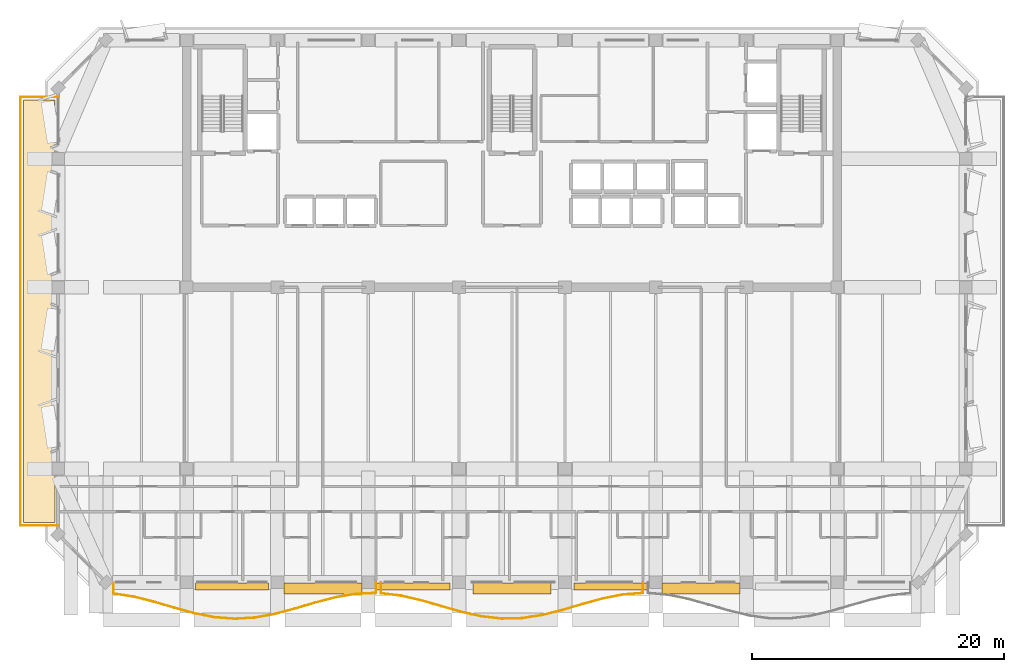
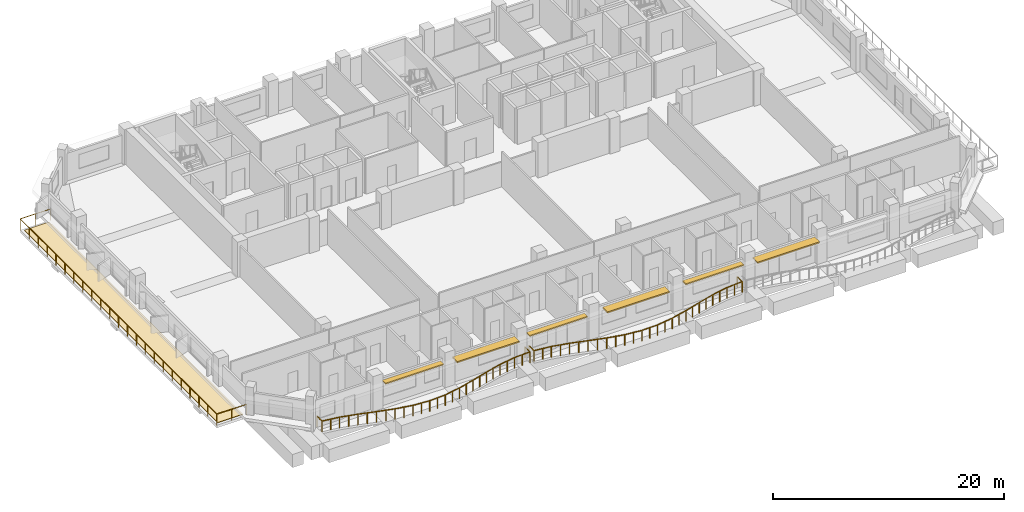
# One storey, part 10 of 13: 6 shading devices, 3 railings, 1 covering.
"""IFC4 building model written with IfcOpenShell, lengths in metres."""

from ifc_helpers import new_model, si_unit, direction, frame, origin, origin_2d, place, context, subcontext, project, spatial, polyline, rectangle, outline, extrude, material, layer, layer_set, type_object, element, save


model = new_model("IFC4")

# Units and contexts
model_context = context("Model", 3, precision=1e-05, world=origin(), true_north=direction((0.0, 1.0)))
body_context = subcontext(model_context, "Body", "Model", "MODEL_VIEW")
ifc_project = project(units=[si_unit("LENGTHUNIT", "METRE"), si_unit("AREAUNIT", "SQUARE_METRE"), si_unit("VOLUMEUNIT", "CUBIC_METRE"), si_unit("PLANEANGLEUNIT", "RADIAN"), si_unit("MASSUNIT", "GRAM", prefix="KILO")], contexts=[model_context])

# Site, building, storey
site_placement = place(None, origin())
site = spatial("IfcSite", under=ifc_project, at=site_placement, CompositionType="ELEMENT")
building_placement = place(site_placement, origin())
building = spatial("IfcBuilding", under=site, at=building_placement, Name="Kaelvorn Grand Hotel", CompositionType="ELEMENT")
storey_placement = place(building_placement, frame((0.0, 0.0, 229.14990234375)))
storey = spatial("IfcBuildingStorey", under=building, at=storey_placement, Name="L56", CompositionType="ELEMENT", Elevation=229.14990234375)

# Covering
ifc_material_1 = material(Name="Insulated Elastomeric Waterproofing Roof Membrane")
ifc_layer_1 = layer(ifc_material_1, 0.1201171875)
ifc_layer_set_1 = layer_set([ifc_layer_1], Name="Insulated Elastomeric Waterproofing Roof Membrane")
covering_type = type_object("IfcCoveringType", Name="COV-ROOF-MEMBRANE-120", PredefinedType="ROOFING", material=ifc_layer_set_1)
covering_placement = place(storey_placement, origin())
element("IfcCovering", 1, at=covering_placement, inside=storey, type_object=covering_type, Name="L56 Setback Terrace Waterproofing Membrane W", PredefinedType="ROOFING", context=body_context, shape_type="SweptSolid", body=[
    extrude(outline(polyline([(3.25, 10.75), (5.75, 10.75), (5.75, 44.25), (3.25, 44.25), (3.25, 10.75)])), origin(), (0.0, 0.0, 1.0), 0.06005859375),
])

# Railings
ifc_material_2 = material(Name="Stainless Steel", Category="steel")
railing_type_1 = type_object("IfcRailingType", Name="RL-BALC-1150", PredefinedType="BALUSTRADE", material=ifc_material_2)
railing_1_placement = place(storey_placement, frame((10.39990234375, 6.0, 0.0)))
element("IfcRailing", 2, at=railing_1_placement, inside=storey, type_object=railing_type_1, Name="L56 Scalloped Wave Balcony Balustrade GR1-1", PredefinedType="BALUSTRADE", context=body_context, shape_type="SweptSolid", body=[
    extrude(rectangle(XDim=0.048095703125, YDim=0.048095703125, at=origin_2d()), frame((0.0, 0.0, 1.1259765625), z_axis=(0.0, -1.0, 0.0), x_axis=(1.0, 0.0, 0.0)), (0.0, 0.0, 1.0), 0.900146484375),
    extrude(rectangle(XDim=0.048095703125, YDim=0.048095703125, at=origin_2d()), frame((0.0, -0.900146484375, 1.1259765625), z_axis=(0.988401317612, -0.151864529575, 0.0), x_axis=(0.151864529575, 0.988401317612, 0.0)), (0.0, 0.0, 1.0), 1.618896484375),
    extrude(rectangle(XDim=0.048095703125, YDim=0.048095703125, at=origin_2d()), frame((1.60009765625, -1.14599609375, 1.1259765625), z_axis=(0.970020491705, -0.243023138142, 0.0), x_axis=(0.243023138142, 0.970020491705, 0.0)), (0.0, 0.0, 1.0), 1.649658203125),
    extrude(rectangle(XDim=0.048095703125, YDim=0.048095703125, at=origin_2d()), frame((3.2001953125, -1.546875, 1.1259765625), z_axis=(0.959339854815, -0.282253508329, 0.0), x_axis=(0.282253508329, 0.959339854815, 0.0)), (0.0, 0.0, 1.0), 1.667724609375),
    extrude(rectangle(XDim=0.048095703125, YDim=0.048095703125, at=origin_2d()), frame((4.800048828125, -2.017578125, 1.1259765625), z_axis=(0.964143309379, -0.265382137644, 0.0), x_axis=(0.265382137644, 0.964143309379, 0.0)), (0.0, 0.0, 1.0), 1.65966796875),
    extrude(rectangle(XDim=0.048095703125, YDim=0.048095703125, at=origin_2d()), frame((6.400146484375, -2.4580078125, 1.1259765625), z_axis=(0.980998741428, -0.194014095665, 0.0), x_axis=(0.194014095665, 0.980998741428, 0.0)), (0.0, 0.0, 1.0), 1.630859375),
    extrude(rectangle(XDim=0.048095703125, YDim=0.048095703125, at=origin_2d()), frame((8.0, -2.7744140625, 1.1259765625), z_axis=(0.99696251046, -0.077882942532, 0.0), x_axis=(0.077882942532, 0.99696251046, 0.0)), (0.0, 0.0, 1.0), 1.60498046875),
    extrude(rectangle(XDim=0.048095703125, YDim=0.048095703125, at=origin_2d()), frame((9.60009765625, -2.8994140625, 1.1259765625), z_axis=(0.998314580369, 0.058034460653, 0.0), x_axis=(-0.058034460653, 0.998314580369, 0.0)), (0.0, 0.0, 1.0), 1.602783203125),
    extrude(rectangle(XDim=0.048095703125, YDim=0.048095703125, at=origin_2d()), frame((11.2001953125, -2.806396484375, 1.1259765625), z_axis=(0.983855493641, 0.178964710578, 0.0), x_axis=(-0.178964710578, 0.983855493641, 0.0)), (0.0, 0.0, 1.0), 1.626220703125),
    extrude(rectangle(XDim=0.048095703125, YDim=0.048095703125, at=origin_2d()), frame((12.800048828125, -2.515380859375, 1.1259765625), z_axis=(0.96615170123, 0.257974592181, 0.0), x_axis=(-0.257974592181, 0.96615170123, 0.0)), (0.0, 0.0, 1.0), 1.65625),
    extrude(rectangle(XDim=0.048095703125, YDim=0.048095703125, at=origin_2d()), frame((14.400146484375, -2.088134765625, 1.1259765625), z_axis=(0.959022227014, 0.283330845643, 0.0), x_axis=(-0.283330845643, 0.959022227014, 0.0)), (0.0, 0.0, 1.0), 1.668212890625),
    extrude(rectangle(XDim=0.048095703125, YDim=0.048095703125, at=origin_2d()), frame((16.0, -1.615478515625, 1.1259765625), z_axis=(0.967607864815, 0.252457956795, 0.0), x_axis=(-0.252457956795, 0.967607864815, 0.0)), (0.0, 0.0, 1.0), 1.653564453125),
    extrude(rectangle(XDim=0.048095703125, YDim=0.048095703125, at=origin_2d()), frame((17.60009765625, -1.197998046875, 1.1259765625), z_axis=(0.985710855115, 0.168446163828, 0.0), x_axis=(-0.168446163828, 0.985710855115, 0.0)), (0.0, 0.0, 1.0), 1.623291015625),
    extrude(rectangle(XDim=0.048095703125, YDim=0.048095703125, at=origin_2d()), frame((19.2001953125, -0.924560546875, 1.1259765625), z_axis=(0.999015458773, 0.044363421105, 0.0), x_axis=(-0.044363421105, 0.999015458773, 0.0)), (0.0, 0.0, 1.0), 1.601318359375),
    extrude(rectangle(XDim=0.048095703125, YDim=0.048095703125, at=origin_2d()), frame((20.800048828125, -0.853515625, 1.1259765625), z_axis=(0.0, 1.0, 0.0), x_axis=(-1.0, 0.0, 0.0)), (0.0, 0.0, 1.0), 0.853515625),
    extrude(rectangle(XDim=0.0419921875, YDim=0.0419921875, at=origin_2d()), origin(), (0.0, 0.0, 1.0), 1.101806640625),
    extrude(rectangle(XDim=0.0419921875, YDim=0.0419921875, at=origin_2d()), frame((0.0, -0.900146484375, 0.0)), (0.0, 0.0, 1.0), 1.101806640625),
    extrude(rectangle(XDim=0.0419921875, YDim=0.0419921875, at=origin_2d()), frame((0.800048828125, -1.02294921875, 0.0)), (0.0, 0.0, 1.0), 1.101806640625),
    extrude(rectangle(XDim=0.0419921875, YDim=0.0419921875, at=origin_2d()), frame((1.60009765625, -1.14599609375, 0.0)), (0.0, 0.0, 1.0), 1.101806640625),
    extrude(rectangle(XDim=0.0419921875, YDim=0.0419921875, at=origin_2d()), frame((2.400146484375, -1.346435546875, 0.0)), (0.0, 0.0, 1.0), 1.101806640625),
    extrude(rectangle(XDim=0.0419921875, YDim=0.0419921875, at=origin_2d()), frame((3.2001953125, -1.546875, 0.0)), (0.0, 0.0, 1.0), 1.101806640625),
    extrude(rectangle(XDim=0.0419921875, YDim=0.0419921875, at=origin_2d()), frame((4.0, -1.7822265625, 0.0)), (0.0, 0.0, 1.0), 1.101806640625),
    extrude(rectangle(XDim=0.0419921875, YDim=0.0419921875, at=origin_2d()), frame((4.800048828125, -2.017578125, 0.0)), (0.0, 0.0, 1.0), 1.101806640625),
    extrude(rectangle(XDim=0.0419921875, YDim=0.0419921875, at=origin_2d()), frame((5.60009765625, -2.23779296875, 0.0)), (0.0, 0.0, 1.0), 1.101806640625),
    extrude(rectangle(XDim=0.0419921875, YDim=0.0419921875, at=origin_2d()), frame((6.400146484375, -2.4580078125, 0.0)), (0.0, 0.0, 1.0), 1.101806640625),
    extrude(rectangle(XDim=0.0419921875, YDim=0.0419921875, at=origin_2d()), frame((7.2001953125, -2.6162109375, 0.0)), (0.0, 0.0, 1.0), 1.101806640625),
    extrude(rectangle(XDim=0.0419921875, YDim=0.0419921875, at=origin_2d()), frame((8.0, -2.7744140625, 0.0)), (0.0, 0.0, 1.0), 1.101806640625),
    extrude(rectangle(XDim=0.0419921875, YDim=0.0419921875, at=origin_2d()), frame((8.800048828125, -2.8369140625, 0.0)), (0.0, 0.0, 1.0), 1.101806640625),
    extrude(rectangle(XDim=0.0419921875, YDim=0.0419921875, at=origin_2d()), frame((9.60009765625, -2.8994140625, 0.0)), (0.0, 0.0, 1.0), 1.101806640625),
    extrude(rectangle(XDim=0.0419921875, YDim=0.0419921875, at=origin_2d()), frame((10.400146484375, -2.85302734375, 0.0)), (0.0, 0.0, 1.0), 1.101806640625),
    extrude(rectangle(XDim=0.0419921875, YDim=0.0419921875, at=origin_2d()), frame((11.2001953125, -2.806396484375, 0.0)), (0.0, 0.0, 1.0), 1.101806640625),
    extrude(rectangle(XDim=0.0419921875, YDim=0.0419921875, at=origin_2d()), frame((12.0, -2.660888671875, 0.0)), (0.0, 0.0, 1.0), 1.101806640625),
    extrude(rectangle(XDim=0.0419921875, YDim=0.0419921875, at=origin_2d()), frame((12.800048828125, -2.515380859375, 0.0)), (0.0, 0.0, 1.0), 1.101806640625),
    extrude(rectangle(XDim=0.0419921875, YDim=0.0419921875, at=origin_2d()), frame((13.60009765625, -2.3017578125, 0.0)), (0.0, 0.0, 1.0), 1.101806640625),
    extrude(rectangle(XDim=0.0419921875, YDim=0.0419921875, at=origin_2d()), frame((14.400146484375, -2.088134765625, 0.0)), (0.0, 0.0, 1.0), 1.101806640625),
    extrude(rectangle(XDim=0.0419921875, YDim=0.0419921875, at=origin_2d()), frame((15.2001953125, -1.851806640625, 0.0)), (0.0, 0.0, 1.0), 1.101806640625),
    extrude(rectangle(XDim=0.0419921875, YDim=0.0419921875, at=origin_2d()), frame((16.0, -1.615478515625, 0.0)), (0.0, 0.0, 1.0), 1.101806640625),
    extrude(rectangle(XDim=0.0419921875, YDim=0.0419921875, at=origin_2d()), frame((16.800048828125, -1.40673828125, 0.0)), (0.0, 0.0, 1.0), 1.101806640625),
    extrude(rectangle(XDim=0.0419921875, YDim=0.0419921875, at=origin_2d()), frame((17.60009765625, -1.197998046875, 0.0)), (0.0, 0.0, 1.0), 1.101806640625),
    extrude(rectangle(XDim=0.0419921875, YDim=0.0419921875, at=origin_2d()), frame((18.400146484375, -1.061279296875, 0.0)), (0.0, 0.0, 1.0), 1.101806640625),
    extrude(rectangle(XDim=0.0419921875, YDim=0.0419921875, at=origin_2d()), frame((19.2001953125, -0.924560546875, 0.0)), (0.0, 0.0, 1.0), 1.101806640625),
    extrude(rectangle(XDim=0.0419921875, YDim=0.0419921875, at=origin_2d()), frame((20.0, -0.88916015625, 0.0)), (0.0, 0.0, 1.0), 1.101806640625),
    extrude(rectangle(XDim=0.0419921875, YDim=0.0419921875, at=origin_2d()), frame((20.800048828125, -0.853515625, 0.0)), (0.0, 0.0, 1.0), 1.101806640625),
    extrude(rectangle(XDim=0.0419921875, YDim=0.0419921875, at=origin_2d()), frame((20.800048828125, 0.0, 0.0)), (0.0, 0.0, 1.0), 1.101806640625),
])
railing_2_placement = place(storey_placement, frame((31.60009765625, 6.0, 0.0)))
element("IfcRailing", 3, at=railing_2_placement, inside=storey, type_object=railing_type_1, Name="L56 Scalloped Wave Balcony Balustrade GR1-2", PredefinedType="BALUSTRADE", context=body_context, shape_type="SweptSolid", body=[
    extrude(rectangle(XDim=0.048095703125, YDim=0.048095703125, at=origin_2d()), frame((0.0, 0.0, 1.1259765625), z_axis=(0.0, -1.0, 0.0), x_axis=(1.0, 0.0, 0.0)), (0.0, 0.0, 1.0), 0.869873046875),
    extrude(rectangle(XDim=0.048095703125, YDim=0.048095703125, at=origin_2d()), frame((0.0, -0.869873046875, 1.1259765625), z_axis=(0.992465460591, -0.122524730294, 0.0), x_axis=(0.122524730294, 0.992465460591, 0.0)), (0.0, 0.0, 1.0), 1.612060546875),
    extrude(rectangle(XDim=0.048095703125, YDim=0.048095703125, at=origin_2d()), frame((1.599853515625, -1.0673828125, 1.1259765625), z_axis=(0.974406227917, -0.224794357127, 0.0), x_axis=(0.224794357127, 0.974406227917, 0.0)), (0.0, 0.0, 1.0), 1.64208984375),
    extrude(rectangle(XDim=0.048095703125, YDim=0.048095703125, at=origin_2d()), frame((3.199951171875, -1.4365234375, 1.1259765625), z_axis=(0.960678560295, -0.27766293197, 0.0), x_axis=(0.27766293197, 0.960678560295, 0.0)), (0.0, 0.0, 1.0), 1.665283203125),
    extrude(rectangle(XDim=0.048095703125, YDim=0.048095703125, at=origin_2d()), frame((4.7998046875, -1.89892578125, 1.1259765625), z_axis=(0.961507337723, -0.274779255959, 0.0), x_axis=(0.274779255959, 0.961507337723, 0.0)), (0.0, 0.0, 1.0), 1.6640625),
    extrude(rectangle(XDim=0.048095703125, YDim=0.048095703125, at=origin_2d()), frame((6.39990234375, -2.356201171875, 1.1259765625), z_axis=(0.976264105664, -0.216583461952, 0.0), x_axis=(0.216583461952, 0.976264105664, 0.0)), (0.0, 0.0, 1.0), 1.638916015625),
    extrude(rectangle(XDim=0.048095703125, YDim=0.048095703125, at=origin_2d()), frame((8.0, -2.711181640625, 1.1259765625), z_axis=(0.993935417307, -0.109965386472, 0.0), x_axis=(0.109965386472, 0.993935417307, 0.0)), (0.0, 0.0, 1.0), 1.609619140625),
    extrude(rectangle(XDim=0.048095703125, YDim=0.048095703125, at=origin_2d()), frame((9.599853515625, -2.88818359375, 1.1259765625), z_axis=(0.999713206321, 0.023947966645, 0.0), x_axis=(-0.023947966645, 0.999713206321, 0.0)), (0.0, 0.0, 1.0), 1.6005859375),
    extrude(rectangle(XDim=0.048095703125, YDim=0.048095703125, at=origin_2d()), frame((11.199951171875, -2.849853515625, 1.1259765625), z_axis=(0.988397838754, 0.151887169789, 0.0), x_axis=(-0.151887169789, 0.988397838754, 0.0)), (0.0, 0.0, 1.0), 1.61865234375),
    extrude(rectangle(XDim=0.048095703125, YDim=0.048095703125, at=origin_2d()), frame((12.7998046875, -2.60400390625, 1.1259765625), z_axis=(0.970020491705, 0.243023138142, 0.0), x_axis=(-0.243023138142, 0.970020491705, 0.0)), (0.0, 0.0, 1.0), 1.649658203125),
    extrude(rectangle(XDim=0.048095703125, YDim=0.048095703125, at=origin_2d()), frame((14.39990234375, -2.203125, 1.1259765625), z_axis=(0.959351515378, 0.282213872696, 0.0), x_axis=(-0.282213872696, 0.959351515378, 0.0)), (0.0, 0.0, 1.0), 1.66796875),
    extrude(rectangle(XDim=0.048095703125, YDim=0.048095703125, at=origin_2d()), frame((16.0, -1.732421875, 1.1259765625), z_axis=(0.964132946726, 0.265419782679, 0.0), x_axis=(-0.265419782679, 0.964132946726, 0.0)), (0.0, 0.0, 1.0), 1.659423828125),
    extrude(rectangle(XDim=0.048095703125, YDim=0.048095703125, at=origin_2d()), frame((17.599853515625, -1.2919921875, 1.1259765625), z_axis=(0.981004375199, 0.193985607302, 0.0), x_axis=(-0.193985607302, 0.981004375199, 0.0)), (0.0, 0.0, 1.0), 1.631103515625),
    extrude(rectangle(XDim=0.048095703125, YDim=0.048095703125, at=origin_2d()), frame((19.199951171875, -0.9755859375, 1.1259765625), z_axis=(0.996961587557, 0.077894755506, 0.0), x_axis=(-0.077894755506, 0.996961587557, 0.0)), (0.0, 0.0, 1.0), 1.604736328125),
    extrude(rectangle(XDim=0.048095703125, YDim=0.048095703125, at=origin_2d()), frame((20.7998046875, -0.8505859375, 1.1259765625), z_axis=(0.0, 1.0, 0.0), x_axis=(-1.0, 0.0, 0.0)), (0.0, 0.0, 1.0), 0.8505859375),
    extrude(rectangle(XDim=0.0419921875, YDim=0.0419921875, at=origin_2d()), origin(), (0.0, 0.0, 1.0), 1.101806640625),
    extrude(rectangle(XDim=0.0419921875, YDim=0.0419921875, at=origin_2d()), frame((0.0, -0.869873046875, 0.0)), (0.0, 0.0, 1.0), 1.101806640625),
    extrude(rectangle(XDim=0.0419921875, YDim=0.0419921875, at=origin_2d()), frame((0.7998046875, -0.96875, 0.0)), (0.0, 0.0, 1.0), 1.101806640625),
    extrude(rectangle(XDim=0.0419921875, YDim=0.0419921875, at=origin_2d()), frame((1.599853515625, -1.0673828125, 0.0)), (0.0, 0.0, 1.0), 1.101806640625),
    extrude(rectangle(XDim=0.0419921875, YDim=0.0419921875, at=origin_2d()), frame((2.39990234375, -1.251953125, 0.0)), (0.0, 0.0, 1.0), 1.101806640625),
    extrude(rectangle(XDim=0.0419921875, YDim=0.0419921875, at=origin_2d()), frame((3.199951171875, -1.4365234375, 0.0)), (0.0, 0.0, 1.0), 1.101806640625),
    extrude(rectangle(XDim=0.0419921875, YDim=0.0419921875, at=origin_2d()), frame((4.0, -1.667724609375, 0.0)), (0.0, 0.0, 1.0), 1.101806640625),
    extrude(rectangle(XDim=0.0419921875, YDim=0.0419921875, at=origin_2d()), frame((4.7998046875, -1.89892578125, 0.0)), (0.0, 0.0, 1.0), 1.101806640625),
    extrude(rectangle(XDim=0.0419921875, YDim=0.0419921875, at=origin_2d()), frame((5.599853515625, -2.12744140625, 0.0)), (0.0, 0.0, 1.0), 1.101806640625),
    extrude(rectangle(XDim=0.0419921875, YDim=0.0419921875, at=origin_2d()), frame((6.39990234375, -2.356201171875, 0.0)), (0.0, 0.0, 1.0), 1.101806640625),
    extrude(rectangle(XDim=0.0419921875, YDim=0.0419921875, at=origin_2d()), frame((7.199951171875, -2.53369140625, 0.0)), (0.0, 0.0, 1.0), 1.101806640625),
    extrude(rectangle(XDim=0.0419921875, YDim=0.0419921875, at=origin_2d()), frame((8.0, -2.711181640625, 0.0)), (0.0, 0.0, 1.0), 1.101806640625),
    extrude(rectangle(XDim=0.0419921875, YDim=0.0419921875, at=origin_2d()), frame((8.7998046875, -2.7998046875, 0.0)), (0.0, 0.0, 1.0), 1.101806640625),
    extrude(rectangle(XDim=0.0419921875, YDim=0.0419921875, at=origin_2d()), frame((9.599853515625, -2.88818359375, 0.0)), (0.0, 0.0, 1.0), 1.101806640625),
    extrude(rectangle(XDim=0.0419921875, YDim=0.0419921875, at=origin_2d()), frame((10.39990234375, -2.869140625, 0.0)), (0.0, 0.0, 1.0), 1.101806640625),
    extrude(rectangle(XDim=0.0419921875, YDim=0.0419921875, at=origin_2d()), frame((11.199951171875, -2.849853515625, 0.0)), (0.0, 0.0, 1.0), 1.101806640625),
    extrude(rectangle(XDim=0.0419921875, YDim=0.0419921875, at=origin_2d()), frame((12.0, -2.72705078125, 0.0)), (0.0, 0.0, 1.0), 1.101806640625),
    extrude(rectangle(XDim=0.0419921875, YDim=0.0419921875, at=origin_2d()), frame((12.7998046875, -2.60400390625, 0.0)), (0.0, 0.0, 1.0), 1.101806640625),
    extrude(rectangle(XDim=0.0419921875, YDim=0.0419921875, at=origin_2d()), frame((13.599853515625, -2.403564453125, 0.0)), (0.0, 0.0, 1.0), 1.101806640625),
    extrude(rectangle(XDim=0.0419921875, YDim=0.0419921875, at=origin_2d()), frame((14.39990234375, -2.203125, 0.0)), (0.0, 0.0, 1.0), 1.101806640625),
    extrude(rectangle(XDim=0.0419921875, YDim=0.0419921875, at=origin_2d()), frame((15.199951171875, -1.9677734375, 0.0)), (0.0, 0.0, 1.0), 1.101806640625),
    extrude(rectangle(XDim=0.0419921875, YDim=0.0419921875, at=origin_2d()), frame((16.0, -1.732421875, 0.0)), (0.0, 0.0, 1.0), 1.101806640625),
    extrude(rectangle(XDim=0.0419921875, YDim=0.0419921875, at=origin_2d()), frame((16.7998046875, -1.51220703125, 0.0)), (0.0, 0.0, 1.0), 1.101806640625),
    extrude(rectangle(XDim=0.0419921875, YDim=0.0419921875, at=origin_2d()), frame((17.599853515625, -1.2919921875, 0.0)), (0.0, 0.0, 1.0), 1.101806640625),
    extrude(rectangle(XDim=0.0419921875, YDim=0.0419921875, at=origin_2d()), frame((18.39990234375, -1.1337890625, 0.0)), (0.0, 0.0, 1.0), 1.101806640625),
    extrude(rectangle(XDim=0.0419921875, YDim=0.0419921875, at=origin_2d()), frame((19.199951171875, -0.9755859375, 0.0)), (0.0, 0.0, 1.0), 1.101806640625),
    extrude(rectangle(XDim=0.0419921875, YDim=0.0419921875, at=origin_2d()), frame((20.0, -0.9130859375, 0.0)), (0.0, 0.0, 1.0), 1.101806640625),
    extrude(rectangle(XDim=0.0419921875, YDim=0.0419921875, at=origin_2d()), frame((20.7998046875, -0.8505859375, 0.0)), (0.0, 0.0, 1.0), 1.101806640625),
    extrude(rectangle(XDim=0.0419921875, YDim=0.0419921875, at=origin_2d()), frame((20.7998046875, 0.0, 0.0)), (0.0, 0.0, 1.0), 1.101806640625),
])
railing_type_2 = type_object("IfcRailingType", Name="RL-OBS-1200", PredefinedType="BALUSTRADE", material=ifc_material_2)
railing_3_placement = place(storey_placement, frame((6.0, 10.5, 0.0)))
element("IfcRailing", 4, at=railing_3_placement, inside=storey, type_object=railing_type_2, Name="L56 Setback Sky Terrace Balustrade W", PredefinedType="BALUSTRADE", context=body_context, shape_type="SweptSolid", body=[
    extrude(rectangle(XDim=0.048095703125, YDim=0.048095703125, at=origin_2d()), frame((0.0, 0.0, 1.17578125), z_axis=(-1.0, 0.0, 0.0), x_axis=(0.0, -1.0, 0.0)), (0.0, 0.0, 1.0), 3.0),
    extrude(rectangle(XDim=0.048095703125, YDim=0.048095703125, at=origin_2d()), frame((-3.0, 0.0, 1.17578125), z_axis=(0.0, 1.0, 0.0), x_axis=(-1.0, 0.0, 0.0)), (0.0, 0.0, 1.0), 34.0),
    extrude(rectangle(XDim=0.048095703125, YDim=0.048095703125, at=origin_2d()), frame((-3.0, 34.0, 1.17578125), z_axis=(1.0, 0.0, 0.0), x_axis=(0.0, 1.0, 0.0)), (0.0, 0.0, 1.0), 3.0),
    extrude(rectangle(XDim=0.0419921875, YDim=0.0419921875, at=origin_2d()), origin(), (0.0, 0.0, 1.0), 1.15185546875),
    extrude(rectangle(XDim=0.0419921875, YDim=0.0419921875, at=origin_2d()), frame((-1.5, 0.0, 0.0)), (0.0, 0.0, 1.0), 1.15185546875),
    extrude(rectangle(XDim=0.0419921875, YDim=0.0419921875, at=origin_2d()), frame((-3.0, 0.0, 0.0)), (0.0, 0.0, 1.0), 1.15185546875),
    extrude(rectangle(XDim=0.0419921875, YDim=0.0419921875, at=origin_2d()), frame((-3.0, 1.54541015625, 0.0)), (0.0, 0.0, 1.0), 1.15185546875),
    extrude(rectangle(XDim=0.0419921875, YDim=0.0419921875, at=origin_2d()), frame((-3.0, 3.0908203125, 0.0)), (0.0, 0.0, 1.0), 1.15185546875),
    extrude(rectangle(XDim=0.0419921875, YDim=0.0419921875, at=origin_2d()), frame((-3.0, 4.636474609375, 0.0)), (0.0, 0.0, 1.0), 1.15185546875),
    extrude(rectangle(XDim=0.0419921875, YDim=0.0419921875, at=origin_2d()), frame((-3.0, 6.181884765625, 0.0)), (0.0, 0.0, 1.0), 1.15185546875),
    extrude(rectangle(XDim=0.0419921875, YDim=0.0419921875, at=origin_2d()), frame((-3.0, 7.727294921875, 0.0)), (0.0, 0.0, 1.0), 1.15185546875),
    extrude(rectangle(XDim=0.0419921875, YDim=0.0419921875, at=origin_2d()), frame((-3.0, 9.272705078125, 0.0)), (0.0, 0.0, 1.0), 1.15185546875),
    extrude(rectangle(XDim=0.0419921875, YDim=0.0419921875, at=origin_2d()), frame((-3.0, 10.818115234375, 0.0)), (0.0, 0.0, 1.0), 1.15185546875),
    extrude(rectangle(XDim=0.0419921875, YDim=0.0419921875, at=origin_2d()), frame((-3.0, 12.363525390625, 0.0)), (0.0, 0.0, 1.0), 1.15185546875),
    extrude(rectangle(XDim=0.0419921875, YDim=0.0419921875, at=origin_2d()), frame((-3.0, 13.9091796875, 0.0)), (0.0, 0.0, 1.0), 1.15185546875),
    extrude(rectangle(XDim=0.0419921875, YDim=0.0419921875, at=origin_2d()), frame((-3.0, 15.45458984375, 0.0)), (0.0, 0.0, 1.0), 1.15185546875),
    extrude(rectangle(XDim=0.0419921875, YDim=0.0419921875, at=origin_2d()), frame((-3.0, 17.0, 0.0)), (0.0, 0.0, 1.0), 1.15185546875),
    extrude(rectangle(XDim=0.0419921875, YDim=0.0419921875, at=origin_2d()), frame((-3.0, 18.54541015625, 0.0)), (0.0, 0.0, 1.0), 1.15185546875),
    extrude(rectangle(XDim=0.0419921875, YDim=0.0419921875, at=origin_2d()), frame((-3.0, 20.0908203125, 0.0)), (0.0, 0.0, 1.0), 1.15185546875),
    extrude(rectangle(XDim=0.0419921875, YDim=0.0419921875, at=origin_2d()), frame((-3.0, 21.636474609375, 0.0)), (0.0, 0.0, 1.0), 1.15185546875),
    extrude(rectangle(XDim=0.0419921875, YDim=0.0419921875, at=origin_2d()), frame((-3.0, 23.181884765625, 0.0)), (0.0, 0.0, 1.0), 1.15185546875),
    extrude(rectangle(XDim=0.0419921875, YDim=0.0419921875, at=origin_2d()), frame((-3.0, 24.727294921875, 0.0)), (0.0, 0.0, 1.0), 1.15185546875),
    extrude(rectangle(XDim=0.0419921875, YDim=0.0419921875, at=origin_2d()), frame((-3.0, 26.272705078125, 0.0)), (0.0, 0.0, 1.0), 1.15185546875),
    extrude(rectangle(XDim=0.0419921875, YDim=0.0419921875, at=origin_2d()), frame((-3.0, 27.818115234375, 0.0)), (0.0, 0.0, 1.0), 1.15185546875),
    extrude(rectangle(XDim=0.0419921875, YDim=0.0419921875, at=origin_2d()), frame((-3.0, 29.363525390625, 0.0)), (0.0, 0.0, 1.0), 1.15185546875),
    extrude(rectangle(XDim=0.0419921875, YDim=0.0419921875, at=origin_2d()), frame((-3.0, 30.9091796875, 0.0)), (0.0, 0.0, 1.0), 1.15185546875),
    extrude(rectangle(XDim=0.0419921875, YDim=0.0419921875, at=origin_2d()), frame((-3.0, 32.45458984375, 0.0)), (0.0, 0.0, 1.0), 1.15185546875),
    extrude(rectangle(XDim=0.0419921875, YDim=0.0419921875, at=origin_2d()), frame((-3.0, 34.0, 0.0)), (0.0, 0.0, 1.0), 1.15185546875),
    extrude(rectangle(XDim=0.0419921875, YDim=0.0419921875, at=origin_2d()), frame((-1.5, 34.0, 0.0)), (0.0, 0.0, 1.0), 1.15185546875),
    extrude(rectangle(XDim=0.0419921875, YDim=0.0419921875, at=origin_2d()), frame((0.0, 34.0, 0.0)), (0.0, 0.0, 1.0), 1.15185546875),
])

# Shading devices
ifc_material_3 = material(Name="Precast concrete C45/55", Category="concrete")
ifc_layer_2 = layer(ifc_material_3, 0.1201171875)
ifc_layer_set_2 = layer_set([ifc_layer_2], Name="Precast concrete C45/55")
shading_device_type_1 = type_object("IfcShadingDeviceType", Name="SHD-SUNSHADE-550", PredefinedType="USERDEFINED", material=ifc_layer_set_2)
for number, where, z_axis, x_axis, name in (
    (5, (19.800048828125, 5.655029296875, 2.56005859375), (0.0, 0.0, 1.0), (1.0, 0.0, 0.0), "L56 Horizontal Concrete Sunshade Band SS-03"),
    (6, (34.199951171875, 5.655029296875, 2.56005859375), (0.0, 0.0, 1.0), (1.0, 0.0, 0.0), "L56 Horizontal Concrete Sunshade Band SS-05"),
    (7, (49.800048828125, 5.655029296875, 2.56005859375), (0.0, 0.0, 1.0), (1.0, 0.0, 0.0), "L56 Horizontal Concrete Sunshade Band SS-07"),
):
    element("IfcShadingDevice", number, at=place(storey_placement, frame(where, z_axis=z_axis, x_axis=x_axis)), inside=storey, type_object=shading_device_type_1, Name=name, ObjectType="SUNSHADE", PredefinedType="USERDEFINED", context=body_context, shape_type="SweptSolid", body=[
        extrude(rectangle(XDim=5.800048828125, YDim=0.550048828125, at=origin_2d()), origin(), (0.0, 0.0, 1.0), 0.1201171875),
    ])
ifc_layer_3 = layer(ifc_material_3, 0.139892578125)
ifc_layer_set_3 = layer_set([ifc_layer_3], Name="Precast concrete C45/55")
shading_device_type_2 = type_object("IfcShadingDeviceType", Name="SHD-SUNSHADE-850", PredefinedType="USERDEFINED", material=ifc_layer_set_3)
for number, where, z_axis, x_axis, name in (
    (8, (27.0, 5.5048828125, 2.55029296875), (0.0, 0.0, 1.0), (1.0, 0.0, 0.0), "L56 Horizontal Concrete Sunshade Band SS-04"),
    (9, (42.0, 5.5048828125, 2.55029296875), (0.0, 0.0, 1.0), (1.0, 0.0, 0.0), "L56 Horizontal Concrete Sunshade Band SS-06"),
    (10, (57.0, 5.5048828125, 2.55029296875), (0.0, 0.0, 1.0), (1.0, 0.0, 0.0), "L56 Horizontal Concrete Sunshade Band SS-08"),
):
    element("IfcShadingDevice", number, at=place(storey_placement, frame(where, z_axis=z_axis, x_axis=x_axis)), inside=storey, type_object=shading_device_type_2, Name=name, ObjectType="SUNSHADE", PredefinedType="USERDEFINED", context=body_context, shape_type="SweptSolid", body=[
        extrude(rectangle(XDim=6.199951171875, YDim=0.85009765625, at=origin_2d()), origin(), (0.0, 0.0, 1.0), 0.139892578125),
    ])

save(model, "model.ifc")
